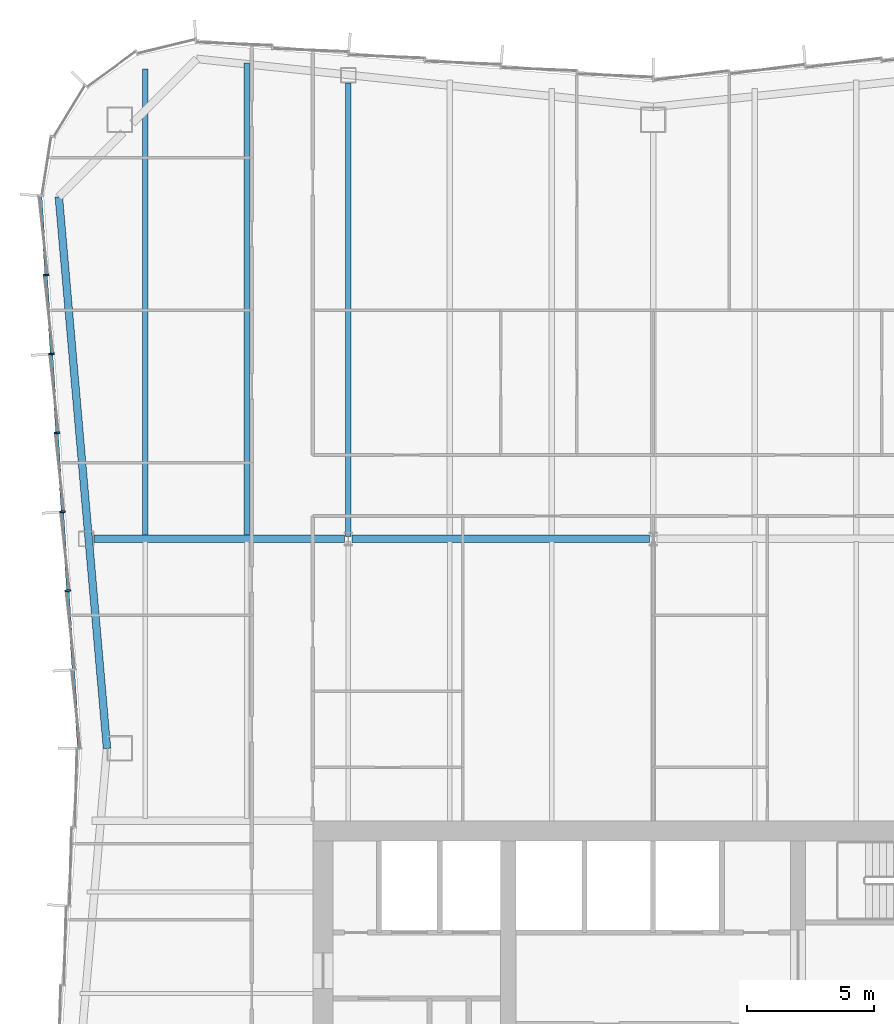
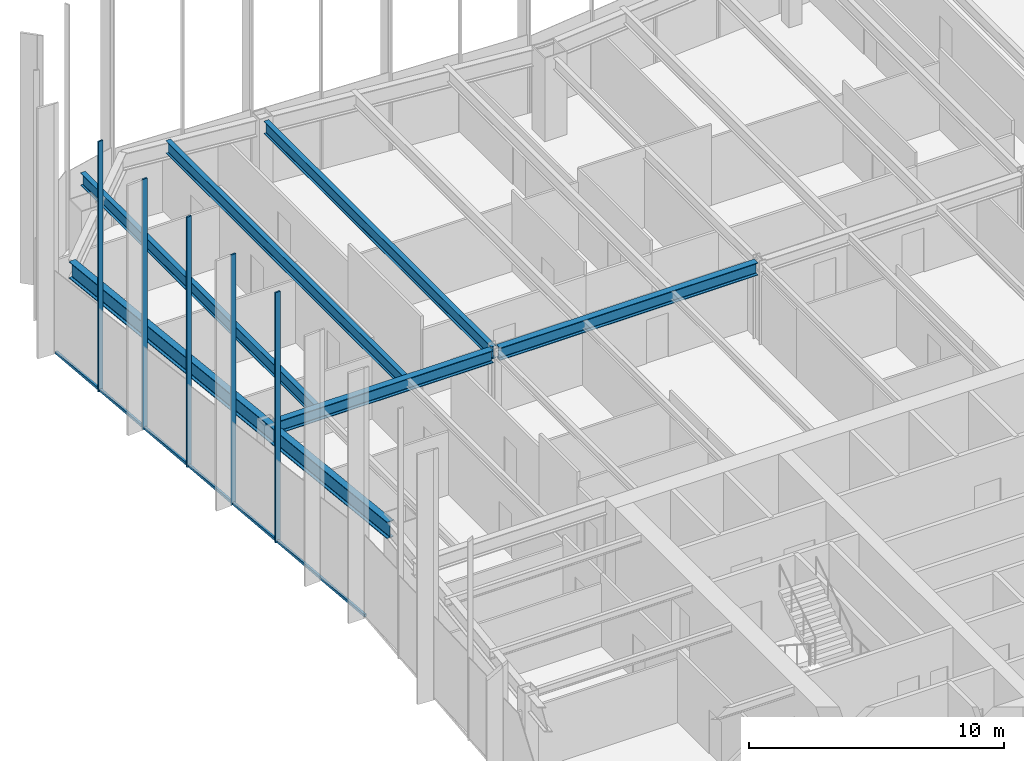
# One storey, part 6 of 15: 6 beams, 6 members, 1 element without a shape of its own.
"""IFC4 building model written with IfcOpenShell, lengths in metres."""

from ifc_helpers import new_model, si_unit, direction, frame, origin, origin_2d, place, context, subcontext, project, spatial, rectangle, i_section, extrude, material, material_profile, profile_set, type_object, element, aggregate, save


model = new_model("IFC4")

# Units and contexts
model_context = context("Model", 3, precision=1e-05, world=origin(), true_north=direction((0.0, 1.0)))
body_context = subcontext(model_context, "Body", "Model", "MODEL_VIEW")
ifc_project = project(units=[si_unit("LENGTHUNIT", "METRE"), si_unit("AREAUNIT", "SQUARE_METRE"), si_unit("VOLUMEUNIT", "CUBIC_METRE"), si_unit("PLANEANGLEUNIT", "RADIAN"), si_unit("MASSUNIT", "GRAM", prefix="KILO")], contexts=[model_context])

# Site, building, storey
site_placement = place(None, origin())
site = spatial("IfcSite", under=ifc_project, at=site_placement, CompositionType="ELEMENT")
building_placement = place(site_placement, origin())
building = spatial("IfcBuilding", under=site, at=building_placement, Name="Verdant Reach Tower", CompositionType="ELEMENT")
storey_placement = place(building_placement, frame((0.0, 0.0, 262.0)))
storey = spatial("IfcBuildingStorey", under=building, at=storey_placement, Name="L60", CompositionType="ELEMENT", Elevation=262.0)

# Curtain wall, members
ifc_material_1 = material(Name="Anodised aluminium", Category="aluminium")
curtain_wall_type = type_object("IfcCurtainWallType", Name="EN-CW SYSTEM Z4", PredefinedType="NOTDEFINED", material=ifc_material_1)
curtain_wall_placement = place(storey_placement, origin())
curtain_wall = element("IfcCurtainWall", 1, at=curtain_wall_placement, inside=storey, type_object=curtain_wall_type, Name="Curtain wall west, L60", PredefinedType="NOTDEFINED")
ifc_material_profile_1 = material_profile(ifc_material_1, rectangle(XDim=0.22412109375, YDim=0.068115234375, at=origin_2d()), Name="Mullion 68x224")
ifc_profile_set_1 = profile_set([ifc_material_profile_1], Name="Anodised aluminium")
member_type_1 = type_object("IfcMemberType", Name="EN-MULLION Z4", PredefinedType="MULLION", material=ifc_profile_set_1)
member_1_placement = place(storey_placement, frame((-23.8974609375, 59.88525390625, -0.35009765625), z_axis=(0.0, 0.0, 1.0), x_axis=(-0.997630328423, -0.068802091615, 0.0)))
member_1 = element("IfcMember", 2, at=member_1_placement, type_object=member_type_1, Name="Mullion west face part 1 2, L60", PredefinedType="MULLION", context=body_context, shape_type="SweptSolid", body=[
    extrude(rectangle(XDim=0.22412109375, YDim=0.068115234375, at=origin_2d()), origin(), (0.0, 0.0, 1.0), 12.0),
])
member_2_placement = place(storey_placement, frame((-23.68310546875, 56.778076171875, -0.35009765625), z_axis=(0.0, 0.0, 1.0), x_axis=(-0.997630328423, -0.068802091615, 0.0)))
member_2 = element("IfcMember", 3, at=member_2_placement, type_object=member_type_1, Name="Mullion west face part 1 3, L60", PredefinedType="MULLION", context=body_context, shape_type="SweptSolid", body=[
    extrude(rectangle(XDim=0.22412109375, YDim=0.068115234375, at=origin_2d()), origin(), (0.0, 0.0, 1.0), 12.0),
])
member_3_placement = place(storey_placement, frame((-23.468994140625, 53.6708984375, -0.35009765625), z_axis=(0.0, 0.0, 1.0), x_axis=(-0.997630328423, -0.068802091615, 0.0)))
member_3 = element("IfcMember", 4, at=member_3_placement, type_object=member_type_1, Name="Mullion west face part 1 4, L60", PredefinedType="MULLION", context=body_context, shape_type="SweptSolid", body=[
    extrude(rectangle(XDim=0.22412109375, YDim=0.068115234375, at=origin_2d()), origin(), (0.0, 0.0, 1.0), 12.0),
])
member_4_placement = place(storey_placement, frame((-23.254638671875, 50.563720703125, -0.35009765625), z_axis=(0.0, 0.0, 1.0), x_axis=(-0.997630328423, -0.068802091615, 0.0)))
member_4 = element("IfcMember", 5, at=member_4_placement, type_object=member_type_1, Name="Mullion west face part 1 5, L60", PredefinedType="MULLION", context=body_context, shape_type="SweptSolid", body=[
    extrude(rectangle(XDim=0.22412109375, YDim=0.068115234375, at=origin_2d()), origin(), (0.0, 0.0, 1.0), 12.0),
])
member_5_placement = place(storey_placement, frame((-23.040283203125, 47.45654296875, -0.35009765625), z_axis=(0.0, 0.0, 1.0), x_axis=(-0.997630328423, -0.068802091615, 0.0)))
member_5 = element("IfcMember", 6, at=member_5_placement, type_object=member_type_1, Name="Mullion west face part 1 6, L60", PredefinedType="MULLION", context=body_context, shape_type="SweptSolid", body=[
    extrude(rectangle(XDim=0.22412109375, YDim=0.068115234375, at=origin_2d()), origin(), (0.0, 0.0, 1.0), 12.0),
])
ifc_material_profile_2 = material_profile(ifc_material_1, rectangle(XDim=0.10009765625, YDim=0.1279296875, at=origin_2d()), Name="Transom 128x100")
ifc_profile_set_2 = profile_set([ifc_material_profile_2], Name="Anodised aluminium")
member_type_2 = type_object("IfcMemberType", Name="EN-TRANSOM Z4", PredefinedType="USERDEFINED", material=ifc_profile_set_2)
member_6_placement = place(storey_placement, frame((-24.109375, 62.97314453125, -0.285888671875), z_axis=(0.068770489035, -0.997632507408, 0.0), x_axis=(0.997632507408, 0.068770489035, 0.0)))
member_6 = element("IfcMember", 7, at=member_6_placement, type_object=member_type_2, Name="Transom west face part 1 1.1, L60", ObjectType="TRANSOM", PredefinedType="USERDEFINED", context=body_context, shape_type="SweptSolid", body=[
    extrude(rectangle(XDim=0.10009765625, YDim=0.1279296875, at=origin_2d()), origin(), (0.0, 0.0, 1.0), 21.74072265625),
])
aggregate(curtain_wall, [member_1, member_2, member_3, member_4, member_5, member_6])

# Beams
ifc_material_2 = material(Name="Steel S355", Category="steel")
ifc_material_profile_3 = material_profile(ifc_material_2, i_section(OverallWidth=0.300048828125, OverallDepth=0.60009765625, WebThickness=0.015380859375, FlangeThickness=0.030029296875, FilletRadius=0.027099609375, at=origin_2d()), Name="HEB 600")
ifc_profile_set_3 = profile_set([ifc_material_profile_3], Name="Steel S355")
beam_type_1 = type_object("IfcBeamType", Name="ST-BEAM-HEB600", PredefinedType="BEAM", material=ifc_profile_set_3)
beam_1_placement = place(storey_placement, frame((-22.01904296875, 49.5, 3.570068359375), z_axis=(1.0, 0.0, 0.0), x_axis=(0.0, 1.0, 0.0)))
element("IfcBeam", 8, at=beam_1_placement, inside=storey, type_object=beam_type_1, Name="Row girder, L60", PredefinedType="BEAM", context=body_context, shape_type="SweptSolid", body=[
    extrude(i_section(OverallWidth=0.300048828125, OverallDepth=0.60009765625, WebThickness=0.015380859375, FlangeThickness=0.030029296875, FilletRadius=0.027099609375, at=origin_2d()), origin(), (0.0, 0.0, 1.0), 9.865966796875),
])
beam_2_placement = place(storey_placement, frame((-11.846923828125, 49.5, 3.570068359375), z_axis=(1.0, 0.0, 0.0), x_axis=(0.0, 1.0, 0.0)))
element("IfcBeam", 9, at=beam_2_placement, inside=storey, type_object=beam_type_1, Name="Row girder, L60", PredefinedType="BEAM", context=body_context, shape_type="SweptSolid", body=[
    extrude(i_section(OverallWidth=0.300048828125, OverallDepth=0.60009765625, WebThickness=0.015380859375, FlangeThickness=0.030029296875, FilletRadius=0.027099609375, at=origin_2d()), origin(), (0.0, 0.0, 1.0), 11.69384765625),
])
ifc_material_profile_4 = material_profile(ifc_material_2, i_section(OverallWidth=0.219970703125, OverallDepth=0.60009765625, WebThickness=0.011962890625, FlangeThickness=0.01904296875, FilletRadius=0.02392578125, at=origin_2d()), Name="IPE 600")
ifc_profile_set_4 = profile_set([ifc_material_profile_4], Name="Steel S355")
beam_type_2 = type_object("IfcBeamType", Name="ST-JOIST-IPE600", PredefinedType="JOIST", material=ifc_profile_set_4)
beam_3_placement = place(storey_placement, frame((-20.0, 49.60009765625, 3.570068359375), z_axis=(0.0, 1.0, 0.0), x_axis=(-1.0, 0.0, 0.0)))
element("IfcBeam", 10, at=beam_3_placement, inside=storey, type_object=beam_type_2, Name="Floor joist, L60", PredefinedType="JOIST", context=body_context, shape_type="SweptSolid", body=[
    extrude(i_section(OverallWidth=0.219970703125, OverallDepth=0.60009765625, WebThickness=0.011962890625, FlangeThickness=0.01904296875, FilletRadius=0.02392578125, at=origin_2d()), origin(), (0.0, 0.0, 1.0), 18.390380859375),
])
beam_4_placement = place(storey_placement, frame((-16.0, 49.60009765625, 3.570068359375), z_axis=(0.0, 1.0, 0.0), x_axis=(-1.0, 0.0, 0.0)))
element("IfcBeam", 11, at=beam_4_placement, inside=storey, type_object=beam_type_2, Name="Floor joist, L60", PredefinedType="JOIST", context=body_context, shape_type="SweptSolid", body=[
    extrude(i_section(OverallWidth=0.219970703125, OverallDepth=0.60009765625, WebThickness=0.011962890625, FlangeThickness=0.01904296875, FilletRadius=0.02392578125, at=origin_2d()), origin(), (0.0, 0.0, 1.0), 18.631103515625),
])
beam_5_placement = place(storey_placement, frame((-12.0, 49.60009765625, 3.570068359375), z_axis=(0.0, 1.0, 0.0), x_axis=(-1.0, 0.0, 0.0)))
element("IfcBeam", 12, at=beam_5_placement, inside=storey, type_object=beam_type_2, Name="Floor joist, L60", PredefinedType="JOIST", context=body_context, shape_type="SweptSolid", body=[
    extrude(i_section(OverallWidth=0.219970703125, OverallDepth=0.60009765625, WebThickness=0.011962890625, FlangeThickness=0.01904296875, FilletRadius=0.02392578125, at=origin_2d()), origin(), (0.0, 0.0, 1.0), 17.849853515625),
])
ifc_material_profile_5 = material_profile(ifc_material_2, i_section(OverallWidth=0.300048828125, OverallDepth=0.800048828125, WebThickness=0.017578125, FlangeThickness=0.032958984375, FilletRadius=0.030029296875, at=origin_2d()), Name="HEB 800")
ifc_profile_set_5 = profile_set([ifc_material_profile_5], Name="Steel S355")
beam_type_3 = type_object("IfcBeamType", Name="ST-SPANDREL-HEB800", PredefinedType="SPANDREL", material=ifc_profile_set_5)
beam_6_placement = place(storey_placement, frame((-21.5, 41.25, 3.469970703125), z_axis=(-0.086996024331, 0.996208658741, 0.0), x_axis=(-0.996208658741, -0.086996024331, 0.0)))
element("IfcBeam", 13, at=beam_6_placement, inside=storey, type_object=beam_type_3, Name="Edge beam, L60", PredefinedType="SPANDREL", context=body_context, shape_type="SweptSolid", body=[
    extrude(i_section(OverallWidth=0.300048828125, OverallDepth=0.800048828125, WebThickness=0.017578125, FlangeThickness=0.032958984375, FilletRadius=0.030029296875, at=origin_2d()), origin(), (0.0, 0.0, 1.0), 21.7939453125),
])

save(model, "model.ifc")
